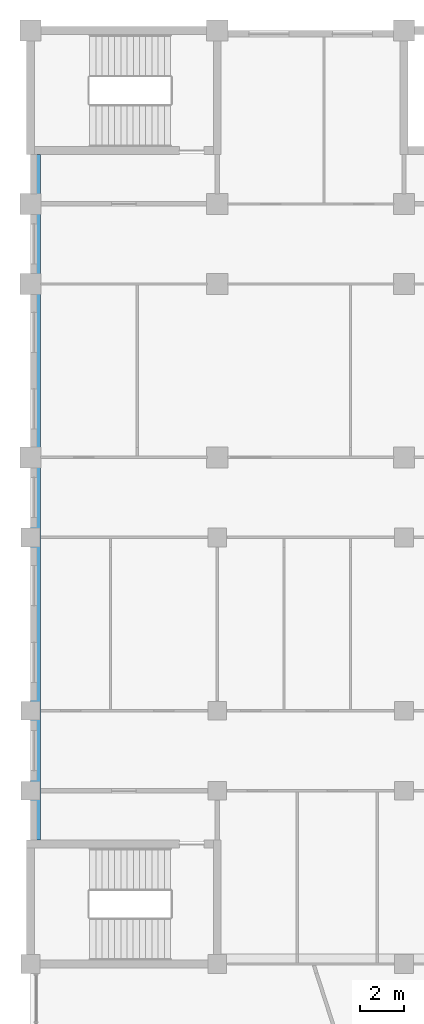
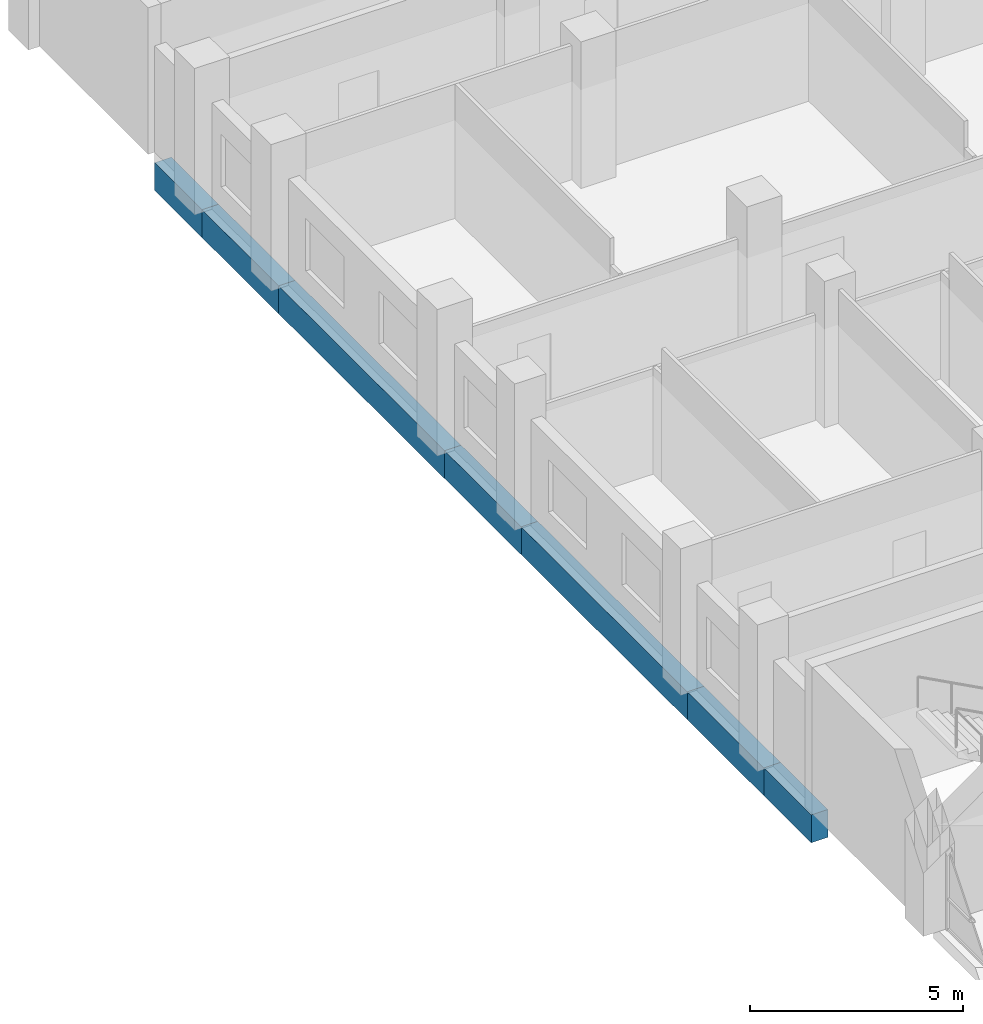
# One storey, part 24 of 109: 7 beams.
"""IFC4 building model written with IfcOpenShell, lengths in metres."""

from ifc_helpers import new_model, si_unit, direction, frame, origin, origin_2d, place, context, subcontext, project, spatial, rectangle, extrude, material, material_profile, profile_set, type_object, element, save


model = new_model("IFC4")

# Units and contexts
model_context = context("Model", 3, precision=1e-05, world=origin(), true_north=direction((0.0, 1.0)))
body_context = subcontext(model_context, "Body", "Model", "MODEL_VIEW")
ifc_project = project(units=[si_unit("LENGTHUNIT", "METRE"), si_unit("AREAUNIT", "SQUARE_METRE"), si_unit("VOLUMEUNIT", "CUBIC_METRE"), si_unit("PLANEANGLEUNIT", "RADIAN"), si_unit("MASSUNIT", "GRAM", prefix="KILO")], contexts=[model_context])

# Site, building, storey
site_placement = place(None, origin())
site = spatial("IfcSite", under=ifc_project, at=site_placement, CompositionType="ELEMENT")
building_placement = place(site_placement, origin())
building = spatial("IfcBuilding", under=site, at=building_placement, Name="Bougainvillea Quay General Hospital", CompositionType="ELEMENT")
storey_placement = place(building_placement, frame((0.0, 0.0, 12.60009765625)))
storey = spatial("IfcBuildingStorey", under=building, at=storey_placement, Name="L02", CompositionType="ELEMENT", Elevation=12.60009765625)

# Beams
ifc_material = material(Name="Concrete C40", Category="concrete")
ifc_material_profile = material_profile(ifc_material, rectangle(XDim=0.449951171875, YDim=0.800048828125, at=origin_2d()))
ifc_profile_set = profile_set([ifc_material_profile], Name="Concrete C40")
beam_type = type_object("IfcBeamType", Name="RC BEAM 450x800 C40", PredefinedType="BEAM", material=ifc_profile_set)
beam_1_placement = place(storey_placement, frame((42.22509765625, 154.02490234375, -0.7001953125), z_axis=(0.0, -1.0, 0.0), x_axis=(1.0, 0.0, 0.0)))
element("IfcBeam", 1, at=beam_1_placement, inside=storey, type_object=beam_type, Name="Edge beam L02", PredefinedType="BEAM", context=body_context, shape_type="SweptSolid", body=[
    extrude(rectangle(XDim=0.449951171875, YDim=0.800048828125, at=origin_2d()), origin(), (0.0, 0.0, 1.0), 2.224853515625),
])
beam_2_placement = place(storey_placement, frame((42.22509765625, 151.800048828125, -0.7001953125), z_axis=(0.0, -1.0, 0.0), x_axis=(1.0, 0.0, 0.0)))
element("IfcBeam", 2, at=beam_2_placement, inside=storey, type_object=beam_type, Name="Edge beam L02", PredefinedType="BEAM", context=body_context, shape_type="SweptSolid", body=[
    extrude(rectangle(XDim=0.449951171875, YDim=0.800048828125, at=origin_2d()), origin(), (0.0, 0.0, 1.0), 3.60009765625),
])
beam_3_placement = place(storey_placement, frame((42.22509765625, 148.199951171875, -0.7001953125), z_axis=(0.0, -1.0, 0.0), x_axis=(1.0, 0.0, 0.0)))
element("IfcBeam", 3, at=beam_3_placement, inside=storey, type_object=beam_type, Name="Edge beam L02", PredefinedType="BEAM", context=body_context, shape_type="SweptSolid", body=[
    extrude(rectangle(XDim=0.449951171875, YDim=0.800048828125, at=origin_2d()), origin(), (0.0, 0.0, 1.0), 7.800048828125),
])
beam_4_placement = place(storey_placement, frame((42.22509765625, 140.39990234375, -0.7001953125), z_axis=(0.0, -1.0, 0.0), x_axis=(1.0, 0.0, 0.0)))
element("IfcBeam", 4, at=beam_4_placement, inside=storey, type_object=beam_type, Name="Edge beam L02", PredefinedType="BEAM", context=body_context, shape_type="SweptSolid", body=[
    extrude(rectangle(XDim=0.449951171875, YDim=0.800048828125, at=origin_2d()), origin(), (0.0, 0.0, 1.0), 3.599853515625),
])
beam_5_placement = place(storey_placement, frame((42.22509765625, 136.800048828125, -0.7001953125), z_axis=(0.0, -1.0, 0.0), x_axis=(1.0, 0.0, 0.0)))
element("IfcBeam", 5, at=beam_5_placement, inside=storey, type_object=beam_type, Name="Edge beam L02", PredefinedType="BEAM", context=body_context, shape_type="SweptSolid", body=[
    extrude(rectangle(XDim=0.449951171875, YDim=0.800048828125, at=origin_2d()), origin(), (0.0, 0.0, 1.0), 7.800048828125),
])
beam_6_placement = place(storey_placement, frame((42.22509765625, 129.0, -0.7001953125), z_axis=(0.0, -1.0, 0.0), x_axis=(1.0, 0.0, 0.0)))
element("IfcBeam", 6, at=beam_6_placement, inside=storey, type_object=beam_type, Name="Edge beam L02", PredefinedType="BEAM", context=body_context, shape_type="SweptSolid", body=[
    extrude(rectangle(XDim=0.449951171875, YDim=0.800048828125, at=origin_2d()), origin(), (0.0, 0.0, 1.0), 3.60009765625),
])
beam_7_placement = place(storey_placement, frame((42.22509765625, 125.39990234375, -0.7001953125), z_axis=(0.0, -1.0, 0.0), x_axis=(1.0, 0.0, 0.0)))
element("IfcBeam", 7, at=beam_7_placement, inside=storey, type_object=beam_type, Name="Edge beam L02", PredefinedType="BEAM", context=body_context, shape_type="SweptSolid", body=[
    extrude(rectangle(XDim=0.449951171875, YDim=0.800048828125, at=origin_2d()), origin(), (0.0, 0.0, 1.0), 2.224853515625),
])

save(model, "model.ifc")
